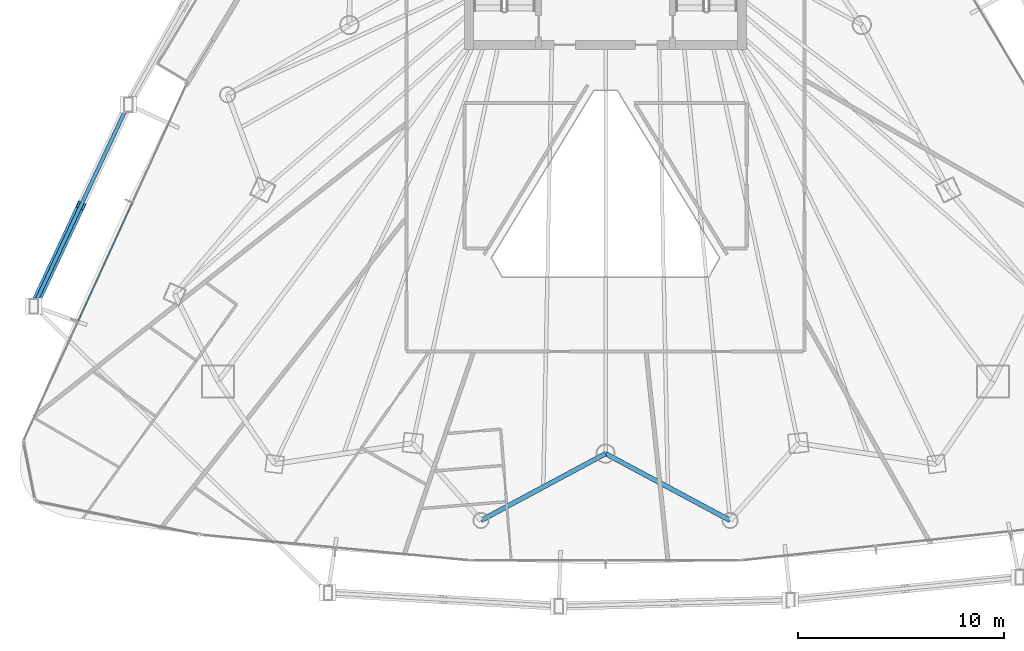
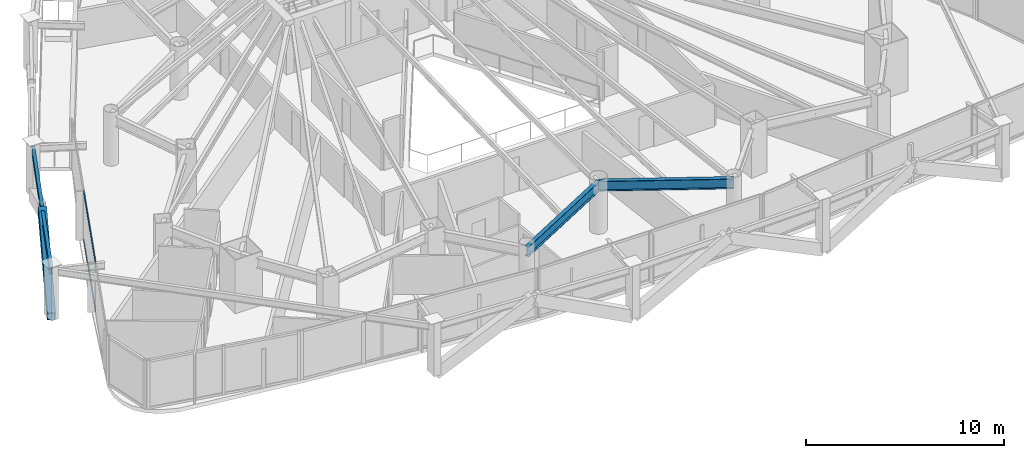
# One storey, part 8 of 38: 3 beams, 3 members, 1 element without a shape of its own.
"""IFC4 building model written with IfcOpenShell, lengths in metres."""

from ifc_helpers import new_model, si_unit, direction, frame, origin, origin_2d, place, context, subcontext, project, spatial, hollow_rectangle, i_section, extrude, material, layer, layer_set, material_profile, profile_set, type_object, element, aggregate, save


model = new_model("IFC4")

# Units and contexts
model_context = context("Model", 3, precision=1e-05, world=origin(), true_north=direction((0.0, 1.0)))
body_context = subcontext(model_context, "Body", "Model", "MODEL_VIEW")
ifc_project = project(units=[si_unit("LENGTHUNIT", "METRE"), si_unit("AREAUNIT", "SQUARE_METRE"), si_unit("VOLUMEUNIT", "CUBIC_METRE"), si_unit("PLANEANGLEUNIT", "RADIAN"), si_unit("MASSUNIT", "GRAM", prefix="KILO")], contexts=[model_context])

# Site, building, storey
site_placement = place(None, origin())
site = spatial("IfcSite", under=ifc_project, at=site_placement, CompositionType="ELEMENT")
building_placement = place(site_placement, origin())
building = spatial("IfcBuilding", under=site, at=building_placement, Name="Orvanel Arch Residences", CompositionType="ELEMENT")
storey_placement = place(building_placement, frame((0.0, 0.0, 56.60009765625)))
storey = spatial("IfcBuildingStorey", under=building, at=storey_placement, Name="L15", CompositionType="ELEMENT", Elevation=56.60009765625)

# Member
ifc_material_1 = material(Name="Structural steel AS/NZS 3678 Grade 350", Category="steel")
ifc_material_profile_1 = material_profile(ifc_material_1, hollow_rectangle(XDim=0.419921875, YDim=0.719970703125, WallThickness=0.02490234375, at=origin_2d()), Name="RHS720x420x25")
ifc_profile_set_1 = profile_set([ifc_material_profile_1], Name="Structural steel AS/NZS 3678 Grade 350")
member_type_1 = type_object("IfcMemberType", Name="BR-720RHS-EXT", PredefinedType="BRACE", material=ifc_profile_set_1)
member_1_placement = place(storey_placement, frame((5.256103515625, 13.99609375, 0.0), z_axis=(0.376103559771, 0.803046000811, 0.462237204159), x_axis=(-0.905599412968, 0.424134062806, 0.0)))
element("IfcMember", 1, at=member_1_placement, inside=storey, type_object=member_type_1, Name="L15 Exterior Sky-Garden V-Frame Chevron F1B3.2", PredefinedType="BRACE", context=body_context, shape_type="SweptSolid", body=[
    extrude(hollow_rectangle(XDim=0.419921875, YDim=0.719970703125, WallThickness=0.02490234375, at=origin_2d()), origin(), (0.0, 0.0, 1.0), 6.093994140625),
])

# Beams
ifc_material_2 = material(Name="Structural steel AS/NZS 3679.1 Grade 300 (300 MPa)", Category="steel")
ifc_material_profile_2 = material_profile(ifc_material_2, i_section(OverallWidth=0.177978515625, OverallDepth=0.406005859375, WebThickness=0.0078125, FlangeThickness=0.0126953125, at=origin_2d()), Name="410UB59.7")
ifc_profile_set_2 = profile_set([ifc_material_profile_2], Name="Structural steel AS/NZS 3679.1 Grade 300 (300 MPa)")
beam_type_1 = type_object("IfcBeamType", Name="OB-410UB-EXT", PredefinedType="SPANDREL", material=ifc_profile_set_2)
beam_placement = place(storey_placement, frame((9.839111328125, 23.782958984375, 2.81689453125), z_axis=(-0.424085984193, -0.905621928848, 0.0), x_axis=(0.905621928848, -0.424085984193, 0.0)))
element("IfcBeam", 2, at=beam_placement, inside=storey, type_object=beam_type_1, Name="L15 Outer Perimeter Floor Ring Beam 03", PredefinedType="SPANDREL", context=body_context, shape_type="SweptSolid", body=[
    extrude(i_section(OverallWidth=0.177978515625, OverallDepth=0.406005859375, WebThickness=0.0078125, FlangeThickness=0.0126953125, at=origin_2d()), origin(), (0.0, 0.0, 1.0), 10.806884765625),
])
ifc_material_profile_3 = material_profile(ifc_material_2, i_section(OverallWidth=0.22900390625, OverallDepth=0.612060546875, WebThickness=0.011962890625, FlangeThickness=0.01953125, at=origin_2d()), Name="610UB125")
ifc_profile_set_3 = profile_set([ifc_material_profile_3], Name="Structural steel AS/NZS 3679.1 Grade 300 (300 MPa)")
beam_type_2 = type_object("IfcBeamType", Name="SP-610UB", PredefinedType="SPANDREL", material=ifc_profile_set_3)
for number, where, z_axis, x_axis, name in (
    (3, (26.9580078125, 3.60498046875, 2.7138671875), (0.881344400551, 0.472474388319, 0.0), (-0.472474388319, 0.881344400551, 0.0), "L15 Perimeter Spandrel Beam 06"),
    (4, (33.0, 6.843994140625, 2.7138671875), (0.881344400551, -0.472474388319, 0.0), (0.472474388319, 0.881344400551, 0.0), "L15 Perimeter Spandrel Beam 07"),
):
    element("IfcBeam", number, at=place(storey_placement, frame(where, z_axis=z_axis, x_axis=x_axis)), inside=storey, type_object=beam_type_2, Name=name, PredefinedType="SPANDREL", context=body_context, shape_type="SweptSolid", body=[
        extrude(i_section(OverallWidth=0.22900390625, OverallDepth=0.612060546875, WebThickness=0.011962890625, FlangeThickness=0.01953125, at=origin_2d()), origin(), (0.0, 0.0, 1.0), 6.85546875),
    ])

# Curtain wall, members
ifc_material_3 = material(Name="Bronze-anodised aluminium AA6063-T6", Category="aluminium")
ifc_layer = layer(ifc_material_3, 0.179931640625)
ifc_layer_set = layer_set([ifc_layer], Name="Bronze-anodised aluminium AA6063-T6")
curtain_wall_type = type_object("IfcCurtainWallType", Name="CW2-LOW-SYS", PredefinedType="NOTDEFINED", material=ifc_layer_set)
curtain_wall_placement = place(storey_placement, origin())
curtain_wall = element("IfcCurtainWall", 5, at=curtain_wall_placement, inside=storey, type_object=curtain_wall_type, Name="L15 CW2-LOW-SYS Unitised Curtain Wall", PredefinedType="NOTDEFINED")
ifc_material_profile_4 = material_profile(ifc_material_3, hollow_rectangle(XDim=0.06005859375, YDim=0.135009765625, WallThickness=0.00390625, at=origin_2d()), Name="ALU135x60x4")
ifc_profile_set_4 = profile_set([ifc_material_profile_4], Name="Bronze-anodised aluminium AA6063-T6")
member_type_2 = type_object("IfcMemberType", Name="TRN-135x60", PredefinedType="USERDEFINED", material=ifc_profile_set_4)
member_2_placement = place(storey_placement, frame((10.032470703125, 18.988525390625, 0.02978515625), z_axis=(-0.416153334287, -0.909294453058, 0.0), x_axis=(0.909294453058, -0.416153334287, 0.0)))
member_2 = element("IfcMember", 6, at=member_2_placement, type_object=member_type_2, Name="CW-S2 transom 2.1", ObjectType="TRANSOM", PredefinedType="USERDEFINED", context=body_context, shape_type="SweptSolid", body=[
    extrude(hollow_rectangle(XDim=0.06005859375, YDim=0.135009765625, WallThickness=0.00390625, at=origin_2d()), origin(), (0.0, 0.0, 1.0), 6.288330078125),
])
member_3_placement = place(storey_placement, frame((10.032470703125, 18.988525390625, 2.989990234375), z_axis=(-0.416153334287, -0.909294453058, 0.0), x_axis=(0.909294453058, -0.416153334287, 0.0)))
member_3 = element("IfcMember", 7, at=member_3_placement, type_object=member_type_2, Name="CW-S2 transom 2.2", ObjectType="TRANSOM", PredefinedType="USERDEFINED", context=body_context, shape_type="SweptSolid", body=[
    extrude(hollow_rectangle(XDim=0.06005859375, YDim=0.135009765625, WallThickness=0.00390625, at=origin_2d()), origin(), (0.0, 0.0, 1.0), 6.288330078125),
])
aggregate(curtain_wall, [member_2, member_3])

save(model, "model.ifc")
